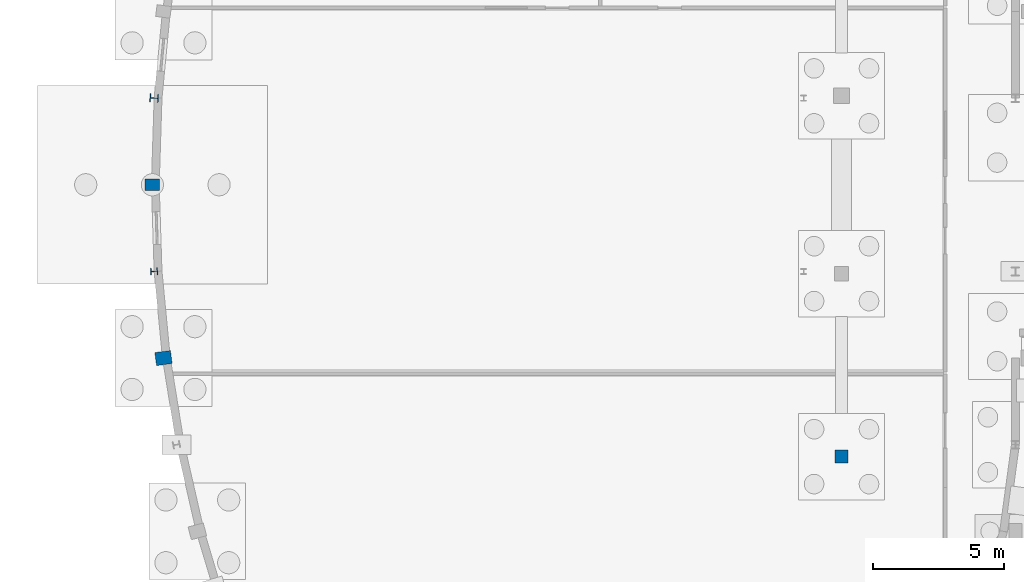
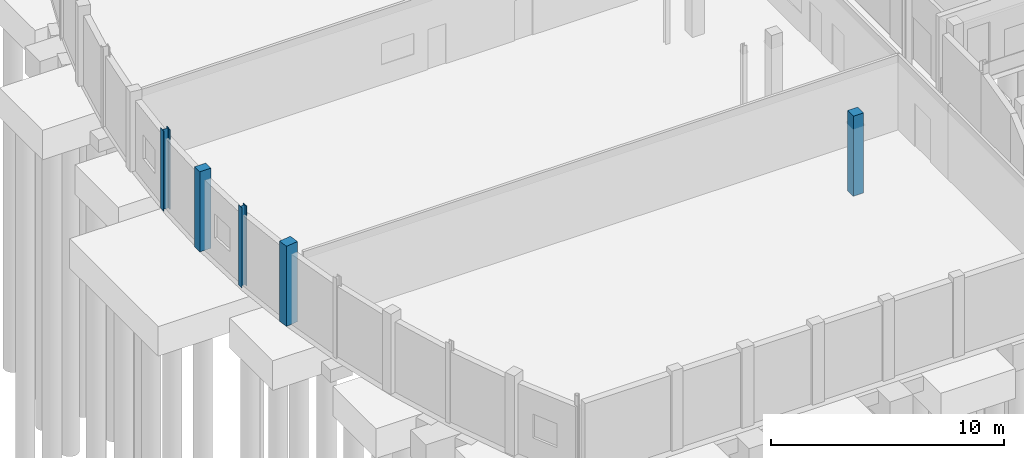
# One storey, part 13 of 93: 5 columns.
"""IFC4 building model written with IfcOpenShell, lengths in metres."""

from ifc_helpers import new_model, si_unit, direction, frame, origin, origin_2d, place, context, subcontext, project, spatial, rectangle, i_section, extrude, material, material_profile, profile_set, type_object, element, save


model = new_model("IFC4")

# Units and contexts
model_context = context("Model", 3, precision=1e-05, world=origin(), true_north=direction((0.0, 1.0)))
body_context = subcontext(model_context, "Body", "Model", "MODEL_VIEW")
ifc_project = project(units=[si_unit("LENGTHUNIT", "METRE"), si_unit("AREAUNIT", "SQUARE_METRE"), si_unit("VOLUMEUNIT", "CUBIC_METRE"), si_unit("PLANEANGLEUNIT", "RADIAN"), si_unit("MASSUNIT", "GRAM", prefix="KILO")], contexts=[model_context])

# Site, building, storey
site_placement = place(None, origin())
site = spatial("IfcSite", under=ifc_project, at=site_placement, CompositionType="ELEMENT")
building_placement = place(site_placement, origin())
building = spatial("IfcBuilding", under=site, at=building_placement, Name="Kelanivale Promenade Academy", CompositionType="ELEMENT")
storey_placement = place(building_placement, origin())
storey = spatial("IfcBuildingStorey", under=building, at=storey_placement, Name="L00", CompositionType="ELEMENT", Elevation=0.0)

# Columns
ifc_material_1 = material(Name="Concrete C40/50", Category="concrete")
ifc_material_profile_1 = material_profile(ifc_material_1, rectangle(XDim=0.5, YDim=0.5, at=origin_2d()), Name="RC-COL 500x500")
ifc_profile_set_1 = profile_set([ifc_material_profile_1], Name="Concrete C40/50")
column_type_1 = type_object("IfcColumnType", Name="C-03 RC-COL 500x500", PredefinedType="COLUMN", material=ifc_profile_set_1)
column_1_placement = place(storey_placement, frame((28.800048828125, 45.800048828125, 0.0), z_axis=(0.0, 0.0, 1.0), x_axis=(1.0, 0.0, 0.0)))
element("IfcColumn", 1, at=column_1_placement, inside=storey, type_object=column_type_1, Name="Column C-03 at (28.8, 45.8) L00", PredefinedType="COLUMN", context=body_context, shape_type="SweptSolid", body=[
    extrude(rectangle(XDim=0.5, YDim=0.5, at=origin_2d()), origin(), (0.0, 0.0, 1.0), 4.199951171875),
])
ifc_material_profile_2 = material_profile(ifc_material_1, rectangle(XDim=0.449951171875, YDim=0.550048828125, at=origin_2d()), Name="RC-PIL 450x550")
ifc_profile_set_2 = profile_set([ifc_material_profile_2], Name="Concrete C40/50")
column_type_2 = type_object("IfcColumnType", Name="PL-17 RC-PIL 450x550", PredefinedType="PILASTER", material=ifc_profile_set_2)
column_2_placement = place(storey_placement, frame((2.43994140625, 56.199951171875, 0.0), z_axis=(0.0, 0.0, 1.0), x_axis=(0.0, 1.0, 0.0)))
element("IfcColumn", 2, at=column_2_placement, inside=storey, type_object=column_type_2, Name="Column PL-17 at (2.4, 56.2) L00", PredefinedType="PILASTER", context=body_context, shape_type="SweptSolid", body=[
    extrude(rectangle(XDim=0.449951171875, YDim=0.550048828125, at=origin_2d()), origin(), (0.0, 0.0, 1.0), 4.199951171875),
])
ifc_material_profile_3 = material_profile(ifc_material_1, rectangle(XDim=0.5, YDim=0.60009765625, at=origin_2d()), Name="RC-PIL 500x600")
ifc_profile_set_3 = profile_set([ifc_material_profile_3], Name="Concrete C40/50")
column_type_3 = type_object("IfcColumnType", Name="PL-18 RC-PIL 500x600", PredefinedType="PILASTER", material=ifc_profile_set_3)
column_3_placement = place(storey_placement, frame((2.864013671875, 49.571044921875, 0.0), z_axis=(0.0, 0.0, 1.0), x_axis=(-0.12741083733, 0.991850028246, 0.0)))
element("IfcColumn", 3, at=column_3_placement, inside=storey, type_object=column_type_3, Name="Column PL-18 at (2.9, 49.6) L00", PredefinedType="PILASTER", context=body_context, shape_type="SweptSolid", body=[
    extrude(rectangle(XDim=0.5, YDim=0.60009765625, at=origin_2d()), origin(), (0.0, 0.0, 1.0), 4.199951171875),
])
ifc_material_2 = material(Name="Steel S355", Category="steel")
ifc_material_profile_4 = material_profile(ifc_material_2, i_section(OverallWidth=0.25634765625, OverallDepth=0.26025390625, WebThickness=0.01025390625, FlangeThickness=0.017333984375, FilletRadius=0.0126953125, at=origin_2d()), Name="UC 254x254x89")
ifc_profile_set_4 = profile_set([ifc_material_profile_4], Name="Steel S355")
column_type_4 = type_object("IfcColumnType", Name="SC-03 UC 254x254x89", PredefinedType="COLUMN", material=ifc_profile_set_4)
column_4_placement = place(storey_placement, frame((2.506103515625, 52.885986328125, 0.0), z_axis=(0.0, 0.0, 1.0), x_axis=(-0.063661438132, 0.99797155335, 0.0)))
element("IfcColumn", 4, at=column_4_placement, inside=storey, type_object=column_type_4, Name="Column SC-03 at (2.5, 52.9) L00", PredefinedType="COLUMN", context=body_context, shape_type="SweptSolid", body=[
    extrude(i_section(OverallWidth=0.25634765625, OverallDepth=0.26025390625, WebThickness=0.01025390625, FlangeThickness=0.017333984375, FilletRadius=0.0126953125, at=origin_2d()), origin(), (0.0, 0.0, 1.0), 4.199951171875),
])
ifc_material_profile_5 = material_profile(ifc_material_2, i_section(OverallWidth=0.307373046875, OverallDepth=0.314453125, WebThickness=0.011962890625, FlangeThickness=0.018798828125, FilletRadius=0.01513671875, at=origin_2d()), Name="UC 305x305x118")
ifc_profile_set_5 = profile_set([ifc_material_profile_5], Name="Steel S355")
column_type_5 = type_object("IfcColumnType", Name="SC-04 UC 305x305x118", PredefinedType="COLUMN", material=ifc_profile_set_5)
column_5_placement = place(storey_placement, frame((2.506103515625, 59.513916015625, 0.0), z_axis=(0.0, 0.0, 1.0), x_axis=(0.063661438132, 0.99797155335, 0.0)))
element("IfcColumn", 5, at=column_5_placement, inside=storey, type_object=column_type_5, Name="Column SC-04 at (2.5, 59.5) L00", PredefinedType="COLUMN", context=body_context, shape_type="SweptSolid", body=[
    extrude(i_section(OverallWidth=0.307373046875, OverallDepth=0.314453125, WebThickness=0.011962890625, FlangeThickness=0.018798828125, FilletRadius=0.01513671875, at=origin_2d()), origin(), (0.0, 0.0, 1.0), 4.199951171875),
])

save(model, "model.ifc")
